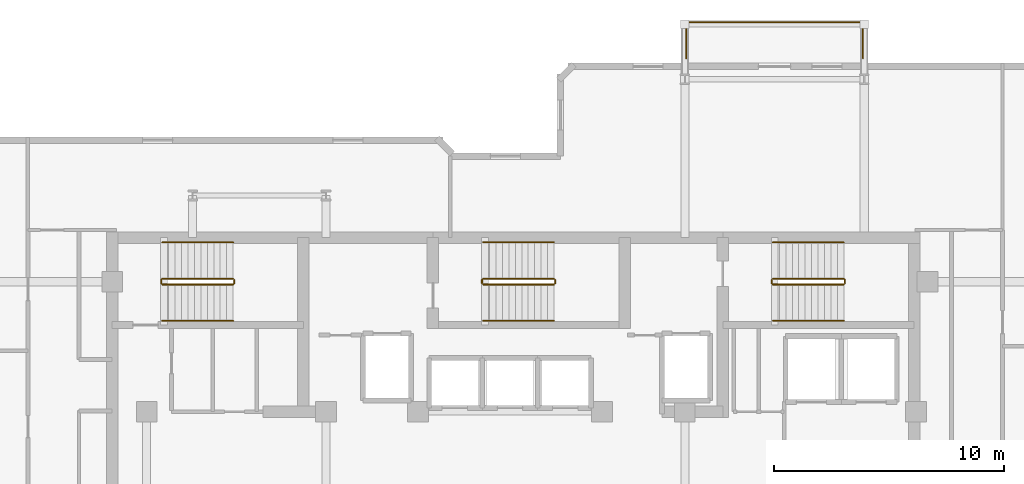
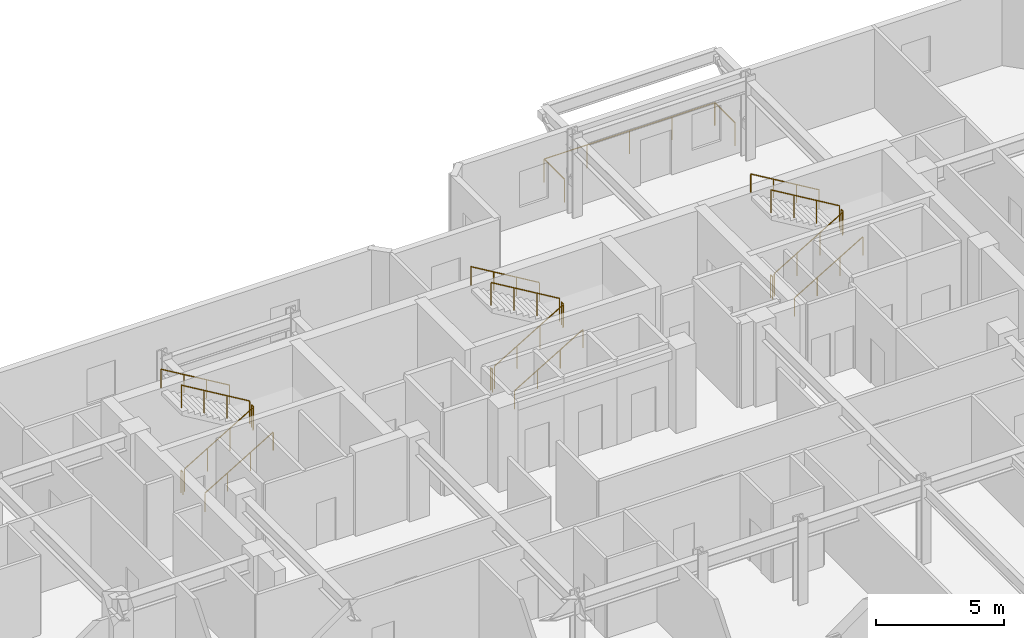
# One storey, part 9 of 9: 19 railings.
"""IFC4 building model written with IfcOpenShell, lengths in metres."""

from ifc_helpers import new_model, si_unit, direction, frame, origin, origin_2d, place, context, subcontext, project, spatial, circle, extrude, material, type_object, element, save


model = new_model("IFC4")

# Units and contexts
model_context = context("Model", 3, precision=1e-05, world=origin(), true_north=direction((0.0, 1.0)))
body_context = subcontext(model_context, "Body", "Model", "MODEL_VIEW")
ifc_project = project(units=[si_unit("LENGTHUNIT", "METRE"), si_unit("AREAUNIT", "SQUARE_METRE"), si_unit("VOLUMEUNIT", "CUBIC_METRE"), si_unit("PLANEANGLEUNIT", "RADIAN"), si_unit("MASSUNIT", "GRAM", prefix="KILO")], contexts=[model_context])

# Site, building, storey
site_placement = place(None, origin())
site = spatial("IfcSite", under=ifc_project, at=site_placement, CompositionType="ELEMENT")
building_placement = place(site_placement, origin())
building = spatial("IfcBuilding", under=site, at=building_placement, Name="Kestravale Grand Hotel", CompositionType="ELEMENT")
storey_placement = place(building_placement, frame((0.0, 0.0, 257.39990234375)))
storey = spatial("IfcBuildingStorey", under=building, at=storey_placement, Name="L64", CompositionType="ELEMENT", Elevation=257.39990234375)

# Railings
ifc_material_1 = material(Name="Champagne-bronze stainless steel and laminated glass guard", Category="steel")
railing_type_1 = type_object("IfcRailingType", Name="RL-EXT-1100", PredefinedType="GUARDRAIL", material=ifc_material_1)
railing_1_placement = place(storey_placement, frame((46.860107421875, 48.1201171875, 0.0)))
element("IfcRailing", 1, at=railing_1_placement, inside=storey, type_object=railing_type_1, Name="L64 outdoor terrace guard 1", PredefinedType="GUARDRAIL", context=body_context, shape_type="SweptSolid", body=[
    extrude(circle(Radius=0.02392578125, at=origin_2d()), frame((0.0, 0.0, 1.09619140625), z_axis=(0.0, 1.0, 0.0), x_axis=(-1.0, 0.0, 0.0)), (0.0, 0.0, 1.0), 1.56982421875),
    extrude(circle(Radius=0.02392578125, at=origin_2d()), frame((0.0, 1.56982421875, 1.09619140625), z_axis=(1.0, 0.0, 0.0), x_axis=(0.0, 1.0, 0.0)), (0.0, 0.0, 1.0), 7.679931640625),
    extrude(circle(Radius=0.02392578125, at=origin_2d()), frame((7.679931640625, 1.56982421875, 1.09619140625), z_axis=(0.0, -1.0, 0.0), x_axis=(1.0, 0.0, 0.0)), (0.0, 0.0, 1.0), 1.56982421875),
    extrude(circle(Radius=0.02099609375, at=origin_2d()), origin(), (0.0, 0.0, 1.0), 1.072021484375),
    extrude(circle(Radius=0.02099609375, at=origin_2d()), frame((0.0, 1.56982421875, 0.0)), (0.0, 0.0, 1.0), 1.072021484375),
    extrude(circle(Radius=0.02099609375, at=origin_2d()), frame((1.919921875, 1.56982421875, 0.0)), (0.0, 0.0, 1.0), 1.072021484375),
    extrude(circle(Radius=0.02099609375, at=origin_2d()), frame((3.83984375, 1.56982421875, 0.0)), (0.0, 0.0, 1.0), 1.072021484375),
    extrude(circle(Radius=0.02099609375, at=origin_2d()), frame((5.760009765625, 1.56982421875, 0.0)), (0.0, 0.0, 1.0), 1.072021484375),
    extrude(circle(Radius=0.02099609375, at=origin_2d()), frame((7.679931640625, 1.56982421875, 0.0)), (0.0, 0.0, 1.0), 1.072021484375),
    extrude(circle(Radius=0.02099609375, at=origin_2d()), frame((7.679931640625, 0.0, 0.0)), (0.0, 0.0, 1.0), 1.072021484375),
])
ifc_material_2 = material(Name="Painted tubular steel stair well guard", Category="steel")
railing_type_2 = type_object("IfcRailingType", Name="RL-ST-GRD1100", PredefinedType="GUARDRAIL", material=ifc_material_2)
railing_2_placement = place(storey_placement, frame((24.080078125, 38.280029296875, 0.166748046875)))
element("IfcRailing", 2, at=railing_2_placement, inside=storey, type_object=railing_type_2, Name="L64 ST-1 stair guard 1", PredefinedType="GUARDRAIL", context=body_context, shape_type="SweptSolid", body=[
    extrude(circle(Radius=0.02392578125, at=origin_2d()), frame((0.0, 0.0, 1.076171875), z_axis=(0.859290745958, 0.0, 0.51148745235), x_axis=(0.0, 1.0, 0.0)), (0.0, 0.0, 1.0), 3.584228515625),
    extrude(circle(Radius=0.02099609375, at=origin_2d()), origin(), (0.0, 0.0, 1.0), 1.052001953125),
    extrude(circle(Radius=0.02099609375, at=origin_2d()), frame((1.026611328125, 0.0, 0.611083984375)), (0.0, 0.0, 1.0), 1.052001953125),
    extrude(circle(Radius=0.02099609375, at=origin_2d()), frame((2.05322265625, 0.0, 1.22216796875)), (0.0, 0.0, 1.0), 1.052001953125),
    extrude(circle(Radius=0.02099609375, at=origin_2d()), frame((3.079833984375, 0.0, 1.833251953125)), (0.0, 0.0, 1.0), 1.052001953125),
])
railing_3_placement = place(storey_placement, frame((27.2099609375, 38.330078125, 2.0)))
element("IfcRailing", 3, at=railing_3_placement, inside=storey, type_object=railing_type_2, Name="L64 ST-1 stair guard 2", PredefinedType="GUARDRAIL", context=body_context, shape_type="SweptSolid", body=[
    extrude(circle(Radius=0.02392578125, at=origin_2d()), frame((0.0, 0.0, 1.076171875), z_axis=(0.0, 1.0, 0.0), x_axis=(-1.0, 0.0, 0.0)), (0.0, 0.0, 1.0), 0.14990234375),
    extrude(circle(Radius=0.02099609375, at=origin_2d()), origin(), (0.0, 0.0, 1.0), 1.052001953125),
    extrude(circle(Radius=0.02099609375, at=origin_2d()), frame((0.0, 0.14990234375, 0.0)), (0.0, 0.0, 1.0), 1.052001953125),
])
railing_4_placement = place(storey_placement, frame((27.159912109375, 38.530029296875, 2.166748046875)))
element("IfcRailing", 4, at=railing_4_placement, inside=storey, type_object=railing_type_2, Name="L64 ST-1 stair guard 3", PredefinedType="GUARDRAIL", context=body_context, shape_type="SweptSolid", body=[
    extrude(circle(Radius=0.02392578125, at=origin_2d()), frame((0.0, 0.0, 1.076171875), z_axis=(-0.859290745958, 0.0, 0.51148745235), x_axis=(0.0, -1.0, 0.0)), (0.0, 0.0, 1.0), 3.584228515625),
    extrude(circle(Radius=0.02099609375, at=origin_2d()), origin(), (0.0, 0.0, 1.0), 1.052001953125),
    extrude(circle(Radius=0.02099609375, at=origin_2d()), frame((-1.026611328125, 0.0, 0.611083984375)), (0.0, 0.0, 1.0), 1.052001953125),
    extrude(circle(Radius=0.02099609375, at=origin_2d()), frame((-2.05322265625, 0.0, 1.22216796875)), (0.0, 0.0, 1.0), 1.052001953125),
    extrude(circle(Radius=0.02099609375, at=origin_2d()), frame((-3.079833984375, 0.0, 1.833251953125)), (0.0, 0.0, 1.0), 1.052001953125),
])
railing_5_placement = place(storey_placement, frame((24.030029296875, 38.330078125, 0.0)))
element("IfcRailing", 5, at=railing_5_placement, inside=storey, type_object=railing_type_2, Name="L64 ST-1 stair guard 4", PredefinedType="GUARDRAIL", context=body_context, shape_type="SweptSolid", body=[
    extrude(circle(Radius=0.02392578125, at=origin_2d()), frame((0.0, 0.0, 1.076171875), z_axis=(0.0, 1.0, 0.0), x_axis=(-1.0, 0.0, 0.0)), (0.0, 0.0, 1.0), 0.14990234375),
    extrude(circle(Radius=0.02099609375, at=origin_2d()), origin(), (0.0, 0.0, 1.0), 1.052001953125),
    extrude(circle(Radius=0.02099609375, at=origin_2d()), frame((0.0, 0.14990234375, 0.0)), (0.0, 0.0, 1.0), 1.052001953125),
])
railing_6_placement = place(storey_placement, frame((38.030029296875, 38.280029296875, 0.166748046875)))
element("IfcRailing", 6, at=railing_6_placement, inside=storey, type_object=railing_type_2, Name="L64 ST-2 stair guard 1", PredefinedType="GUARDRAIL", context=body_context, shape_type="SweptSolid", body=[
    extrude(circle(Radius=0.02392578125, at=origin_2d()), frame((0.0, 0.0, 1.076171875), z_axis=(0.859308565015, 0.0, 0.511457515432), x_axis=(0.0, 1.0, 0.0)), (0.0, 0.0, 1.0), 3.58447265625),
    extrude(circle(Radius=0.02099609375, at=origin_2d()), origin(), (0.0, 0.0, 1.0), 1.052001953125),
    extrude(circle(Radius=0.02099609375, at=origin_2d()), frame((1.026611328125, 0.0, 0.611083984375)), (0.0, 0.0, 1.0), 1.052001953125),
    extrude(circle(Radius=0.02099609375, at=origin_2d()), frame((2.053466796875, 0.0, 1.22216796875)), (0.0, 0.0, 1.0), 1.052001953125),
    extrude(circle(Radius=0.02099609375, at=origin_2d()), frame((3.080078125, 0.0, 1.833251953125)), (0.0, 0.0, 1.0), 1.052001953125),
])
railing_7_placement = place(storey_placement, frame((41.159912109375, 38.330078125, 2.0)))
element("IfcRailing", 7, at=railing_7_placement, inside=storey, type_object=railing_type_2, Name="L64 ST-2 stair guard 2", PredefinedType="GUARDRAIL", context=body_context, shape_type="SweptSolid", body=[
    extrude(circle(Radius=0.02392578125, at=origin_2d()), frame((0.0, 0.0, 1.076171875), z_axis=(0.0, 1.0, 0.0), x_axis=(-1.0, 0.0, 0.0)), (0.0, 0.0, 1.0), 0.14990234375),
    extrude(circle(Radius=0.02099609375, at=origin_2d()), origin(), (0.0, 0.0, 1.0), 1.052001953125),
    extrude(circle(Radius=0.02099609375, at=origin_2d()), frame((0.0, 0.14990234375, 0.0)), (0.0, 0.0, 1.0), 1.052001953125),
])
railing_8_placement = place(storey_placement, frame((41.110107421875, 38.530029296875, 2.166748046875)))
element("IfcRailing", 8, at=railing_8_placement, inside=storey, type_object=railing_type_2, Name="L64 ST-2 stair guard 3", PredefinedType="GUARDRAIL", context=body_context, shape_type="SweptSolid", body=[
    extrude(circle(Radius=0.02392578125, at=origin_2d()), frame((0.0, 0.0, 1.076171875), z_axis=(-0.859308565015, 0.0, 0.511457515432), x_axis=(0.0, -1.0, 0.0)), (0.0, 0.0, 1.0), 3.58447265625),
    extrude(circle(Radius=0.02099609375, at=origin_2d()), origin(), (0.0, 0.0, 1.0), 1.052001953125),
    extrude(circle(Radius=0.02099609375, at=origin_2d()), frame((-1.026611328125, 0.0, 0.611083984375)), (0.0, 0.0, 1.0), 1.052001953125),
    extrude(circle(Radius=0.02099609375, at=origin_2d()), frame((-2.053466796875, 0.0, 1.22216796875)), (0.0, 0.0, 1.0), 1.052001953125),
    extrude(circle(Radius=0.02099609375, at=origin_2d()), frame((-3.080078125, 0.0, 1.833251953125)), (0.0, 0.0, 1.0), 1.052001953125),
])
railing_9_placement = place(storey_placement, frame((37.97998046875, 38.330078125, 0.0)))
element("IfcRailing", 9, at=railing_9_placement, inside=storey, type_object=railing_type_2, Name="L64 ST-2 stair guard 4", PredefinedType="GUARDRAIL", context=body_context, shape_type="SweptSolid", body=[
    extrude(circle(Radius=0.02392578125, at=origin_2d()), frame((0.0, 0.0, 1.076171875), z_axis=(0.0, 1.0, 0.0), x_axis=(-1.0, 0.0, 0.0)), (0.0, 0.0, 1.0), 0.14990234375),
    extrude(circle(Radius=0.02099609375, at=origin_2d()), origin(), (0.0, 0.0, 1.0), 1.052001953125),
    extrude(circle(Radius=0.02099609375, at=origin_2d()), frame((0.0, 0.14990234375, 0.0)), (0.0, 0.0, 1.0), 1.052001953125),
])
railing_10_placement = place(storey_placement, frame((50.6298828125, 38.280029296875, 0.166748046875)))
element("IfcRailing", 10, at=railing_10_placement, inside=storey, type_object=railing_type_2, Name="L64 ST-3 stair guard 1", PredefinedType="GUARDRAIL", context=body_context, shape_type="SweptSolid", body=[
    extrude(circle(Radius=0.02392578125, at=origin_2d()), frame((0.0, 0.0, 1.076171875), z_axis=(0.859308565015, 0.0, 0.511457515432), x_axis=(0.0, 1.0, 0.0)), (0.0, 0.0, 1.0), 3.58447265625),
    extrude(circle(Radius=0.02099609375, at=origin_2d()), origin(), (0.0, 0.0, 1.0), 1.052001953125),
    extrude(circle(Radius=0.02099609375, at=origin_2d()), frame((1.026611328125, 0.0, 0.611083984375)), (0.0, 0.0, 1.0), 1.052001953125),
    extrude(circle(Radius=0.02099609375, at=origin_2d()), frame((2.053466796875, 0.0, 1.22216796875)), (0.0, 0.0, 1.0), 1.052001953125),
    extrude(circle(Radius=0.02099609375, at=origin_2d()), frame((3.080078125, 0.0, 1.833251953125)), (0.0, 0.0, 1.0), 1.052001953125),
])
railing_11_placement = place(storey_placement, frame((53.760009765625, 38.330078125, 2.0)))
element("IfcRailing", 11, at=railing_11_placement, inside=storey, type_object=railing_type_2, Name="L64 ST-3 stair guard 2", PredefinedType="GUARDRAIL", context=body_context, shape_type="SweptSolid", body=[
    extrude(circle(Radius=0.02392578125, at=origin_2d()), frame((0.0, 0.0, 1.076171875), z_axis=(0.0, 1.0, 0.0), x_axis=(-1.0, 0.0, 0.0)), (0.0, 0.0, 1.0), 0.14990234375),
    extrude(circle(Radius=0.02099609375, at=origin_2d()), origin(), (0.0, 0.0, 1.0), 1.052001953125),
    extrude(circle(Radius=0.02099609375, at=origin_2d()), frame((0.0, 0.14990234375, 0.0)), (0.0, 0.0, 1.0), 1.052001953125),
])
railing_12_placement = place(storey_placement, frame((53.7099609375, 38.530029296875, 2.166748046875)))
element("IfcRailing", 12, at=railing_12_placement, inside=storey, type_object=railing_type_2, Name="L64 ST-3 stair guard 3", PredefinedType="GUARDRAIL", context=body_context, shape_type="SweptSolid", body=[
    extrude(circle(Radius=0.02392578125, at=origin_2d()), frame((0.0, 0.0, 1.076171875), z_axis=(-0.859308565015, 0.0, 0.511457515432), x_axis=(0.0, -1.0, 0.0)), (0.0, 0.0, 1.0), 3.58447265625),
    extrude(circle(Radius=0.02099609375, at=origin_2d()), origin(), (0.0, 0.0, 1.0), 1.052001953125),
    extrude(circle(Radius=0.02099609375, at=origin_2d()), frame((-1.026611328125, 0.0, 0.611083984375)), (0.0, 0.0, 1.0), 1.052001953125),
    extrude(circle(Radius=0.02099609375, at=origin_2d()), frame((-2.053466796875, 0.0, 1.22216796875)), (0.0, 0.0, 1.0), 1.052001953125),
    extrude(circle(Radius=0.02099609375, at=origin_2d()), frame((-3.080078125, 0.0, 1.833251953125)), (0.0, 0.0, 1.0), 1.052001953125),
])
railing_13_placement = place(storey_placement, frame((50.580078125, 38.330078125, 0.0)))
element("IfcRailing", 13, at=railing_13_placement, inside=storey, type_object=railing_type_2, Name="L64 ST-3 stair guard 4", PredefinedType="GUARDRAIL", context=body_context, shape_type="SweptSolid", body=[
    extrude(circle(Radius=0.02392578125, at=origin_2d()), frame((0.0, 0.0, 1.076171875), z_axis=(0.0, 1.0, 0.0), x_axis=(-1.0, 0.0, 0.0)), (0.0, 0.0, 1.0), 0.14990234375),
    extrude(circle(Radius=0.02099609375, at=origin_2d()), origin(), (0.0, 0.0, 1.0), 1.052001953125),
    extrude(circle(Radius=0.02099609375, at=origin_2d()), frame((0.0, 0.14990234375, 0.0)), (0.0, 0.0, 1.0), 1.052001953125),
])
ifc_material_3 = material(Name="Brushed stainless steel wall handrail", Category="steel")
railing_type_3 = type_object("IfcRailingType", Name="RL-ST-HND900", PredefinedType="HANDRAIL", material=ifc_material_3)
railing_14_placement = place(storey_placement, frame((24.080078125, 36.699951171875, 0.166748046875)))
element("IfcRailing", 14, at=railing_14_placement, inside=storey, type_object=railing_type_3, Name="L64 ST-1 stair handrail 1", PredefinedType="HANDRAIL", context=body_context, shape_type="SweptSolid", body=[
    extrude(circle(Radius=0.02392578125, at=origin_2d()), frame((0.0, 0.0, 0.8759765625), z_axis=(0.859290745958, 0.0, 0.51148745235), x_axis=(0.0, 1.0, 0.0)), (0.0, 0.0, 1.0), 3.584228515625),
    extrude(circle(Radius=0.02099609375, at=origin_2d()), origin(), (0.0, 0.0, 1.0), 0.851806640625),
    extrude(circle(Radius=0.02099609375, at=origin_2d()), frame((1.026611328125, 0.0, 0.611083984375)), (0.0, 0.0, 1.0), 0.851806640625),
    extrude(circle(Radius=0.02099609375, at=origin_2d()), frame((2.05322265625, 0.0, 1.22216796875)), (0.0, 0.0, 1.0), 0.851806640625),
    extrude(circle(Radius=0.02099609375, at=origin_2d()), frame((3.079833984375, 0.0, 1.833251953125)), (0.0, 0.0, 1.0), 0.851806640625),
])
railing_15_placement = place(storey_placement, frame((27.159912109375, 40.110107421875, 2.166748046875)))
element("IfcRailing", 15, at=railing_15_placement, inside=storey, type_object=railing_type_3, Name="L64 ST-1 stair handrail 2", PredefinedType="HANDRAIL", context=body_context, shape_type="SweptSolid", body=[
    extrude(circle(Radius=0.02392578125, at=origin_2d()), frame((0.0, 0.0, 0.8759765625), z_axis=(-0.859290745958, 0.0, 0.51148745235), x_axis=(0.0, -1.0, 0.0)), (0.0, 0.0, 1.0), 3.584228515625),
    extrude(circle(Radius=0.02099609375, at=origin_2d()), origin(), (0.0, 0.0, 1.0), 0.851806640625),
    extrude(circle(Radius=0.02099609375, at=origin_2d()), frame((-1.026611328125, 0.0, 0.611083984375)), (0.0, 0.0, 1.0), 0.851806640625),
    extrude(circle(Radius=0.02099609375, at=origin_2d()), frame((-2.05322265625, 0.0, 1.22216796875)), (0.0, 0.0, 1.0), 0.851806640625),
    extrude(circle(Radius=0.02099609375, at=origin_2d()), frame((-3.079833984375, 0.0, 1.833251953125)), (0.0, 0.0, 1.0), 0.851806640625),
])
railing_16_placement = place(storey_placement, frame((38.030029296875, 36.699951171875, 0.166748046875)))
element("IfcRailing", 16, at=railing_16_placement, inside=storey, type_object=railing_type_3, Name="L64 ST-2 stair handrail 1", PredefinedType="HANDRAIL", context=body_context, shape_type="SweptSolid", body=[
    extrude(circle(Radius=0.02392578125, at=origin_2d()), frame((0.0, 0.0, 0.8759765625), z_axis=(0.859308565015, 0.0, 0.511457515432), x_axis=(0.0, 1.0, 0.0)), (0.0, 0.0, 1.0), 3.58447265625),
    extrude(circle(Radius=0.02099609375, at=origin_2d()), origin(), (0.0, 0.0, 1.0), 0.851806640625),
    extrude(circle(Radius=0.02099609375, at=origin_2d()), frame((1.026611328125, 0.0, 0.611083984375)), (0.0, 0.0, 1.0), 0.851806640625),
    extrude(circle(Radius=0.02099609375, at=origin_2d()), frame((2.053466796875, 0.0, 1.22216796875)), (0.0, 0.0, 1.0), 0.851806640625),
    extrude(circle(Radius=0.02099609375, at=origin_2d()), frame((3.080078125, 0.0, 1.833251953125)), (0.0, 0.0, 1.0), 0.851806640625),
])
railing_17_placement = place(storey_placement, frame((41.110107421875, 40.110107421875, 2.166748046875)))
element("IfcRailing", 17, at=railing_17_placement, inside=storey, type_object=railing_type_3, Name="L64 ST-2 stair handrail 2", PredefinedType="HANDRAIL", context=body_context, shape_type="SweptSolid", body=[
    extrude(circle(Radius=0.02392578125, at=origin_2d()), frame((0.0, 0.0, 0.8759765625), z_axis=(-0.859308565015, 0.0, 0.511457515432), x_axis=(0.0, -1.0, 0.0)), (0.0, 0.0, 1.0), 3.58447265625),
    extrude(circle(Radius=0.02099609375, at=origin_2d()), origin(), (0.0, 0.0, 1.0), 0.851806640625),
    extrude(circle(Radius=0.02099609375, at=origin_2d()), frame((-1.026611328125, 0.0, 0.611083984375)), (0.0, 0.0, 1.0), 0.851806640625),
    extrude(circle(Radius=0.02099609375, at=origin_2d()), frame((-2.053466796875, 0.0, 1.22216796875)), (0.0, 0.0, 1.0), 0.851806640625),
    extrude(circle(Radius=0.02099609375, at=origin_2d()), frame((-3.080078125, 0.0, 1.833251953125)), (0.0, 0.0, 1.0), 0.851806640625),
])
railing_18_placement = place(storey_placement, frame((50.6298828125, 36.699951171875, 0.166748046875)))
element("IfcRailing", 18, at=railing_18_placement, inside=storey, type_object=railing_type_3, Name="L64 ST-3 stair handrail 1", PredefinedType="HANDRAIL", context=body_context, shape_type="SweptSolid", body=[
    extrude(circle(Radius=0.02392578125, at=origin_2d()), frame((0.0, 0.0, 0.8759765625), z_axis=(0.859308565015, 0.0, 0.511457515432), x_axis=(0.0, 1.0, 0.0)), (0.0, 0.0, 1.0), 3.58447265625),
    extrude(circle(Radius=0.02099609375, at=origin_2d()), origin(), (0.0, 0.0, 1.0), 0.851806640625),
    extrude(circle(Radius=0.02099609375, at=origin_2d()), frame((1.026611328125, 0.0, 0.611083984375)), (0.0, 0.0, 1.0), 0.851806640625),
    extrude(circle(Radius=0.02099609375, at=origin_2d()), frame((2.053466796875, 0.0, 1.22216796875)), (0.0, 0.0, 1.0), 0.851806640625),
    extrude(circle(Radius=0.02099609375, at=origin_2d()), frame((3.080078125, 0.0, 1.833251953125)), (0.0, 0.0, 1.0), 0.851806640625),
])
railing_19_placement = place(storey_placement, frame((53.7099609375, 40.110107421875, 2.166748046875)))
element("IfcRailing", 19, at=railing_19_placement, inside=storey, type_object=railing_type_3, Name="L64 ST-3 stair handrail 2", PredefinedType="HANDRAIL", context=body_context, shape_type="SweptSolid", body=[
    extrude(circle(Radius=0.02392578125, at=origin_2d()), frame((0.0, 0.0, 0.8759765625), z_axis=(-0.859308565015, 0.0, 0.511457515432), x_axis=(0.0, -1.0, 0.0)), (0.0, 0.0, 1.0), 3.58447265625),
    extrude(circle(Radius=0.02099609375, at=origin_2d()), origin(), (0.0, 0.0, 1.0), 0.851806640625),
    extrude(circle(Radius=0.02099609375, at=origin_2d()), frame((-1.026611328125, 0.0, 0.611083984375)), (0.0, 0.0, 1.0), 0.851806640625),
    extrude(circle(Radius=0.02099609375, at=origin_2d()), frame((-2.053466796875, 0.0, 1.22216796875)), (0.0, 0.0, 1.0), 0.851806640625),
    extrude(circle(Radius=0.02099609375, at=origin_2d()), frame((-3.080078125, 0.0, 1.833251953125)), (0.0, 0.0, 1.0), 0.851806640625),
])

save(model, "model.ifc")
